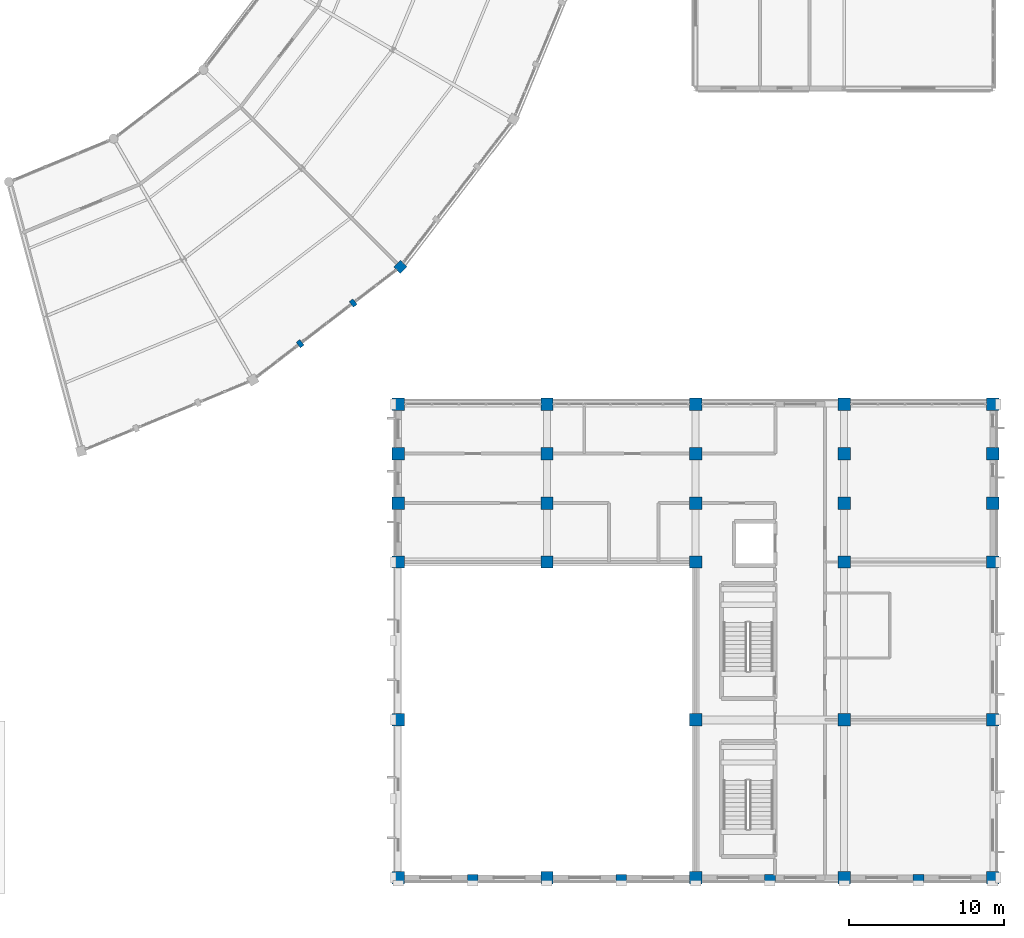
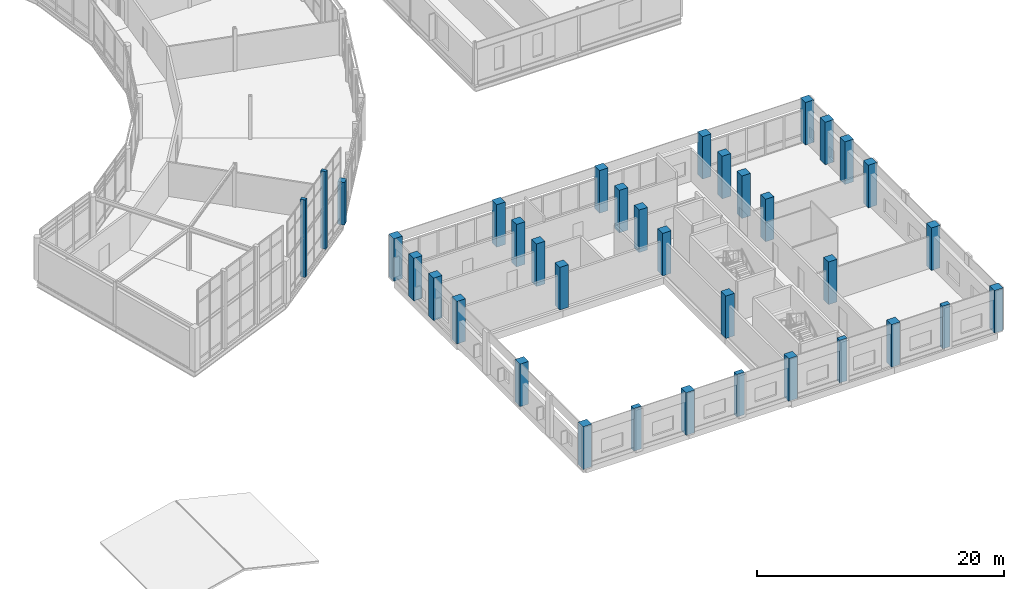
# One storey, part 14 of 170: 36 columns.
"""IFC4 building model written with IfcOpenShell, lengths in metres."""

from ifc_helpers import new_model, si_unit, direction, frame, origin, origin_2d, place, context, subcontext, project, spatial, rectangle, extrude, material, material_profile, profile_set, type_object, element, save


model = new_model("IFC4")

# Units and contexts
model_context = context("Model", 3, precision=1e-05, world=origin(), true_north=direction((0.0, 1.0)))
body_context = subcontext(model_context, "Body", "Model", "MODEL_VIEW")
ifc_project = project(units=[si_unit("LENGTHUNIT", "METRE"), si_unit("AREAUNIT", "SQUARE_METRE"), si_unit("VOLUMEUNIT", "CUBIC_METRE"), si_unit("PLANEANGLEUNIT", "RADIAN"), si_unit("MASSUNIT", "GRAM", prefix="KILO")], contexts=[model_context])

# Site, building, storey
site_placement = place(None, origin())
site = spatial("IfcSite", under=ifc_project, at=site_placement, CompositionType="ELEMENT")
building_placement = place(site_placement, origin())
building = spatial("IfcBuilding", under=site, at=building_placement, Name="Vondelvale Polytechnic", CompositionType="ELEMENT")
storey_placement = place(building_placement, frame((0.0, 0.0, 5.39990234375)))
storey = spatial("IfcBuildingStorey", under=building, at=storey_placement, Name="L01", CompositionType="ELEMENT", Elevation=5.39990234375)

# Columns
ifc_material_1 = material(Name="Glulam GL18 structural Tasmanian oak (fb = 42 MPa)", Category="wood")
ifc_material_profile_1 = material_profile(ifc_material_1, rectangle(XDim=0.300048828125, YDim=0.449951171875, at=origin_2d()), Name="GL-POST-300x450")
ifc_profile_set_1 = profile_set([ifc_material_profile_1], Name="Glulam GL18 structural Tasmanian oak (fb = 42 MPa)")
column_type_1 = type_object("IfcColumnType", Name="COL-GLULAM-300x450", PredefinedType="PILASTER", material=ifc_profile_set_1)
for number, where, z_axis, x_axis, name in (
    (1, (128.048583984375, 34.502197265625, 0.0), (0.0, 0.0, 1.0), (0.793353340291, 0.608761429009, 0.0), "L01 ring outer glulam timber post C20-P1"),
    (2, (131.478271484375, 37.1337890625, 0.0), (0.0, 0.0, 1.0), (0.793353340291, 0.608761429009, 0.0), "L01 ring outer glulam timber post C20-P2"),
):
    element("IfcColumn", number, at=place(storey_placement, frame(where, z_axis=z_axis, x_axis=x_axis)), inside=storey, type_object=column_type_1, Name=name, PredefinedType="PILASTER", context=body_context, shape_type="SweptSolid", body=[
        extrude(rectangle(XDim=0.300048828125, YDim=0.449951171875, at=origin_2d()), origin(), (0.0, 0.0, 1.0), 7.651611328125),
    ])
ifc_material_2 = material(Name="Concrete N50 (f'c = 50 MPa)", Category="concrete")
ifc_material_profile_2 = material_profile(ifc_material_2, rectangle(XDim=0.60009765625, YDim=0.60009765625, at=origin_2d()), Name="RC-COL-600x600")
ifc_profile_set_2 = profile_set([ifc_material_profile_2], Name="Concrete N50 (f'c = 50 MPa)")
column_type_2 = type_object("IfcColumnType", Name="COL-RC600", PredefinedType="COLUMN", material=ifc_profile_set_2)
column_placement = place(storey_placement, frame((134.52685546875, 39.47314453125, 0.0), z_axis=(0.0, 0.0, 1.0), x_axis=(-0.707106781187, 0.707106781187, 0.0)))
element("IfcColumn", 3, at=column_placement, inside=storey, type_object=column_type_2, Name="L01 courtyard ring column S21-RO", PredefinedType="COLUMN", context=body_context, shape_type="SweptSolid", body=[
    extrude(rectangle(XDim=0.60009765625, YDim=0.60009765625, at=origin_2d()), origin(), (0.0, 0.0, 1.0), 4.2001953125),
])
ifc_material_profile_3 = material_profile(ifc_material_2, rectangle(XDim=0.800048828125, YDim=0.800048828125, at=origin_2d()), Name="RC-COL-800x800")
ifc_profile_set_3 = profile_set([ifc_material_profile_3], Name="Concrete N50 (f'c = 50 MPa)")
column_type_3 = type_object("IfcColumnType", Name="COL-RC800", PredefinedType="COLUMN", material=ifc_profile_set_3)
for number, where, z_axis, x_axis, name in (
    (4, (134.39990234375, 0.0, 0.0), (0.0, 0.0, 1.0), (1.0, 0.0, 0.0), "L01 lecture wing column (134.4,0.0)"),
    (5, (134.39990234375, 10.199951171875, 0.0), (0.0, 0.0, 1.0), (1.0, 0.0, 0.0), "L01 lecture wing column (134.4,10.2)"),
    (6, (134.39990234375, 20.39990234375, 0.0), (0.0, 0.0, 1.0), (1.0, 0.0, 0.0), "L01 lecture wing column (134.4,20.4)"),
    (7, (134.39990234375, 24.199951171875, 0.0), (0.0, 0.0, 1.0), (1.0, 0.0, 0.0), "L01 lecture wing column (134.4,24.2)"),
    (8, (134.39990234375, 27.39990234375, 0.0), (0.0, 0.0, 1.0), (1.0, 0.0, 0.0), "L01 lecture wing column (134.4,27.4)"),
    (9, (134.39990234375, 30.60009765625, 0.0), (0.0, 0.0, 1.0), (1.0, 0.0, 0.0), "L01 lecture wing column (134.4,30.6)"),
    (10, (144.0, 0.0, 0.0), (0.0, 0.0, 1.0), (1.0, 0.0, 0.0), "L01 lecture wing column (144.0,0.0)"),
    (11, (144.0, 20.39990234375, 0.0), (0.0, 0.0, 1.0), (1.0, 0.0, 0.0), "L01 lecture wing column (144.0,20.4)"),
    (12, (144.0, 24.199951171875, 0.0), (0.0, 0.0, 1.0), (1.0, 0.0, 0.0), "L01 lecture wing column (144.0,24.2)"),
    (13, (144.0, 27.39990234375, 0.0), (0.0, 0.0, 1.0), (1.0, 0.0, 0.0), "L01 lecture wing column (144.0,27.4)"),
    (14, (144.0, 30.60009765625, 0.0), (0.0, 0.0, 1.0), (1.0, 0.0, 0.0), "L01 lecture wing column (144.0,30.6)"),
    (15, (153.60009765625, 0.0, 0.0), (0.0, 0.0, 1.0), (1.0, 0.0, 0.0), "L01 lecture wing column (153.6,0.0)"),
    (16, (153.60009765625, 10.199951171875, 0.0), (0.0, 0.0, 1.0), (1.0, 0.0, 0.0), "L01 lecture wing column (153.6,10.2)"),
    (17, (153.60009765625, 20.39990234375, 0.0), (0.0, 0.0, 1.0), (1.0, 0.0, 0.0), "L01 lecture wing column (153.6,20.4)"),
    (18, (153.60009765625, 24.199951171875, 0.0), (0.0, 0.0, 1.0), (1.0, 0.0, 0.0), "L01 lecture wing column (153.6,24.2)"),
    (19, (153.60009765625, 27.39990234375, 0.0), (0.0, 0.0, 1.0), (1.0, 0.0, 0.0), "L01 lecture wing column (153.6,27.4)"),
    (20, (153.60009765625, 30.60009765625, 0.0), (0.0, 0.0, 1.0), (1.0, 0.0, 0.0), "L01 lecture wing column (153.6,30.6)"),
    (21, (163.199951171875, 0.0, 0.0), (0.0, 0.0, 1.0), (1.0, 0.0, 0.0), "L01 lecture wing column (163.2,0.0)"),
    (22, (163.199951171875, 10.199951171875, 0.0), (0.0, 0.0, 1.0), (1.0, 0.0, 0.0), "L01 lecture wing column (163.2,10.2)"),
    (23, (163.199951171875, 20.39990234375, 0.0), (0.0, 0.0, 1.0), (1.0, 0.0, 0.0), "L01 lecture wing column (163.2,20.4)"),
    (24, (163.199951171875, 24.199951171875, 0.0), (0.0, 0.0, 1.0), (1.0, 0.0, 0.0), "L01 lecture wing column (163.2,24.2)"),
    (25, (163.199951171875, 27.39990234375, 0.0), (0.0, 0.0, 1.0), (1.0, 0.0, 0.0), "L01 lecture wing column (163.2,27.4)"),
    (26, (163.199951171875, 30.60009765625, 0.0), (0.0, 0.0, 1.0), (1.0, 0.0, 0.0), "L01 lecture wing column (163.2,30.6)"),
    (27, (172.800048828125, 0.0, 0.0), (0.0, 0.0, 1.0), (1.0, 0.0, 0.0), "L01 lecture wing column (172.8,0.0)"),
    (28, (172.800048828125, 10.199951171875, 0.0), (0.0, 0.0, 1.0), (1.0, 0.0, 0.0), "L01 lecture wing column (172.8,10.2)"),
    (29, (172.800048828125, 20.39990234375, 0.0), (0.0, 0.0, 1.0), (1.0, 0.0, 0.0), "L01 lecture wing column (172.8,20.4)"),
    (30, (172.800048828125, 24.199951171875, 0.0), (0.0, 0.0, 1.0), (1.0, 0.0, 0.0), "L01 lecture wing column (172.8,24.2)"),
    (31, (172.800048828125, 27.39990234375, 0.0), (0.0, 0.0, 1.0), (1.0, 0.0, 0.0), "L01 lecture wing column (172.8,27.4)"),
    (32, (172.800048828125, 30.60009765625, 0.0), (0.0, 0.0, 1.0), (1.0, 0.0, 0.0), "L01 lecture wing column (172.8,30.6)"),
):
    element("IfcColumn", number, at=place(storey_placement, frame(where, z_axis=z_axis, x_axis=x_axis)), inside=storey, type_object=column_type_3, Name=name, PredefinedType="COLUMN", context=body_context, shape_type="SweptSolid", body=[
        extrude(rectangle(XDim=0.800048828125, YDim=0.800048828125, at=origin_2d()), origin(), (0.0, 0.0, 1.0), 4.2001953125),
    ])
ifc_material_profile_4 = material_profile(ifc_material_2, rectangle(XDim=0.449951171875, YDim=0.699951171875, at=origin_2d()), Name="RC-PIL-700x450")
ifc_profile_set_4 = profile_set([ifc_material_profile_4], Name="Concrete N50 (f'c = 50 MPa)")
column_type_4 = type_object("IfcColumnType", Name="PIL-RC700x450", PredefinedType="PILASTER", material=ifc_profile_set_4)
for number, where, z_axis, x_axis, name in (
    (33, (139.199951171875, 0.0, 0.0), (0.0, 0.0, 1.0), (0.0, 1.0, 0.0), "L01 Lecture wing South brick pilaster 1"),
    (34, (148.800048828125, 0.0, 0.0), (0.0, 0.0, 1.0), (0.0, 1.0, 0.0), "L01 Lecture wing South brick pilaster 2"),
    (35, (158.39990234375, 0.0, 0.0), (0.0, 0.0, 1.0), (0.0, 1.0, 0.0), "L01 Lecture wing South brick pilaster 3"),
    (36, (168.0, 0.0, 0.0), (0.0, 0.0, 1.0), (0.0, 1.0, 0.0), "L01 Lecture wing South brick pilaster 4"),
):
    element("IfcColumn", number, at=place(storey_placement, frame(where, z_axis=z_axis, x_axis=x_axis)), inside=storey, type_object=column_type_4, Name=name, PredefinedType="PILASTER", context=body_context, shape_type="SweptSolid", body=[
        extrude(rectangle(XDim=0.449951171875, YDim=0.699951171875, at=origin_2d()), origin(), (0.0, 0.0, 1.0), 4.2001953125),
    ])

save(model, "model.ifc")
